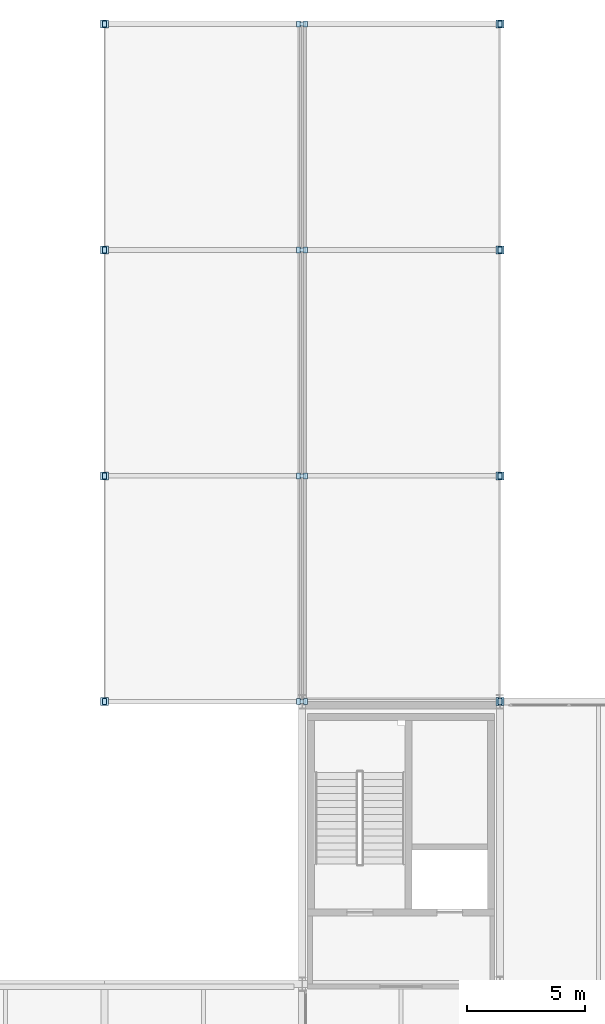
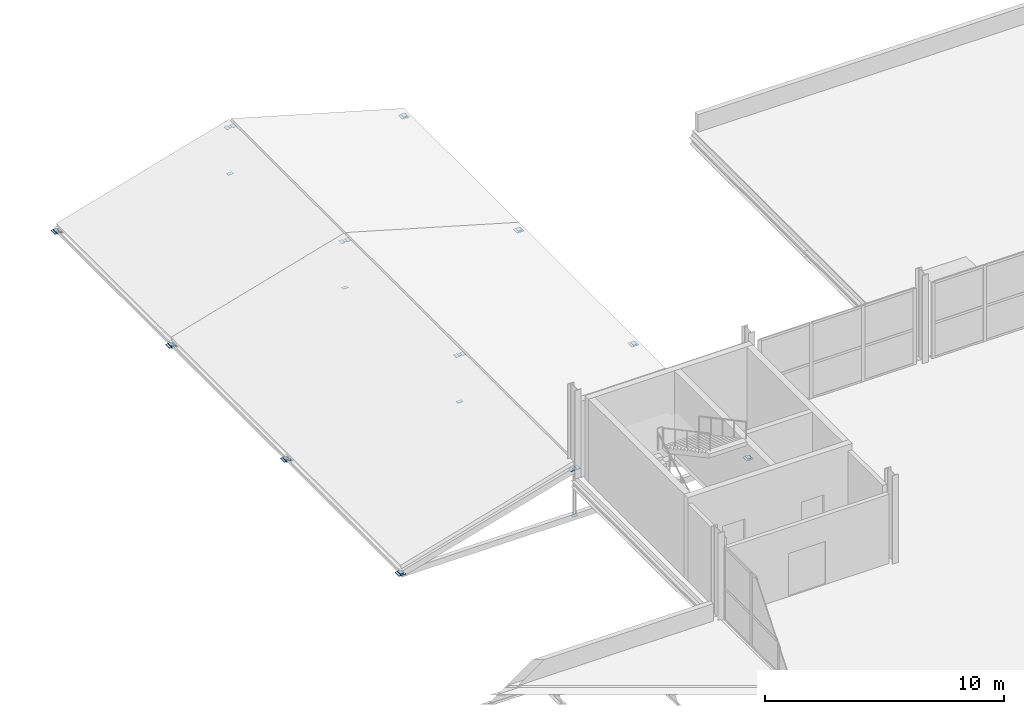
# One storey, part 116 of 130: 32 plates.
"""IFC4 building model written with IfcOpenShell, lengths in metres."""

from ifc_helpers import new_model, si_unit, direction, frame, origin, origin_2d, place, context, subcontext, project, spatial, rectangle, extrude, material, layer, layer_set, type_object, element, save


model = new_model("IFC4")

# Units and contexts
model_context = context("Model", 3, precision=1e-05, world=origin(), true_north=direction((0.0, 1.0)))
body_context = subcontext(model_context, "Body", "Model", "MODEL_VIEW")
ifc_project = project(units=[si_unit("LENGTHUNIT", "METRE"), si_unit("AREAUNIT", "SQUARE_METRE"), si_unit("VOLUMEUNIT", "CUBIC_METRE"), si_unit("PLANEANGLEUNIT", "RADIAN"), si_unit("MASSUNIT", "GRAM", prefix="KILO")], contexts=[model_context])

# Site, building, storey
site_placement = place(None, origin())
site = spatial("IfcSite", under=ifc_project, at=site_placement, CompositionType="ELEMENT")
building_placement = place(site_placement, origin())
building = spatial("IfcBuilding", under=site, at=building_placement, Name="Veltarok Museum of Natural Sciences", CompositionType="ELEMENT")
storey_placement = place(building_placement, frame((0.0, 0.0, 12.89990234375)))
storey = spatial("IfcBuildingStorey", under=building, at=storey_placement, Name="L02", CompositionType="ELEMENT", Elevation=12.89990234375)

# Plates
ifc_material = material(Name="Steel S355J2", Category="steel")
ifc_layer_1 = layer(ifc_material, 0.01611328125)
ifc_layer_set_1 = layer_set([ifc_layer_1], Name="Steel S355J2")
plate_type_1 = type_object("IfcPlateType", Name="Hollow End Closure Plate 260x170x16", PredefinedType="USERDEFINED", material=ifc_layer_set_1)
for number, where, z_axis, x_axis, name in (
    (1, (40.0, 72.0, -2.10400390625), (0.0, 0.0, 1.0), (1.0, 0.0, 0.0), "End Cap Plate CP-180 402"),
    (2, (40.0, 72.0, 0.2880859375), (0.0, 0.0, 1.0), (1.0, 0.0, 0.0), "End Cap Plate CP-180 403"),
    (3, (40.0, 81.60009765625, -2.10400390625), (0.0, 0.0, 1.0), (1.0, 0.0, 0.0), "End Cap Plate CP-180 406"),
    (4, (40.0, 81.60009765625, 0.2880859375), (0.0, 0.0, 1.0), (1.0, 0.0, 0.0), "End Cap Plate CP-180 407"),
    (5, (40.0, 91.199951171875, -2.10400390625), (0.0, 0.0, 1.0), (1.0, 0.0, 0.0), "End Cap Plate CP-180 410"),
    (6, (40.0, 91.199951171875, 0.2880859375), (0.0, 0.0, 1.0), (1.0, 0.0, 0.0), "End Cap Plate CP-180 411"),
    (7, (40.0, 100.800048828125, -2.10400390625), (0.0, 0.0, 1.0), (1.0, 0.0, 0.0), "End Cap Plate CP-180 414"),
    (8, (40.0, 100.800048828125, 0.2880859375), (0.0, 0.0, 1.0), (1.0, 0.0, 0.0), "End Cap Plate CP-180 415"),
    (9, (31.60009765625, 72.00390625, -2.057861328125), (0.0, 0.0, 1.0), (0.0, 1.0, 0.0), "End Cap Plate CP-180 416"),
    (10, (31.60009765625, 81.595947265625, -2.057861328125), (0.0, 0.0, 1.0), (0.0, 1.0, 0.0), "End Cap Plate CP-180 417"),
    (11, (31.60009765625, 91.196044921875, -2.057861328125), (0.0, 0.0, 1.0), (0.0, 1.0, 0.0), "End Cap Plate CP-180 418"),
    (12, (31.60009765625, 100.7958984375, -2.057861328125), (0.0, 0.0, 1.0), (0.0, 1.0, 0.0), "End Cap Plate CP-180 419"),
    (13, (39.85009765625, 72.00390625, 0.2919921875), (0.0, 0.0, 1.0), (0.0, 1.0, 0.0), "End Cap Plate CP-180 420"),
    (14, (39.85009765625, 81.595947265625, 0.2919921875), (0.0, 0.0, 1.0), (0.0, 1.0, 0.0), "End Cap Plate CP-180 421"),
    (15, (39.85009765625, 91.196044921875, 0.2919921875), (0.0, 0.0, 1.0), (0.0, 1.0, 0.0), "End Cap Plate CP-180 422"),
    (16, (39.85009765625, 100.7958984375, 0.2919921875), (0.0, 0.0, 1.0), (0.0, 1.0, 0.0), "End Cap Plate CP-180 423"),
    (17, (40.14990234375, 72.00390625, 0.2919921875), (0.0, 0.0, 1.0), (0.0, 1.0, 0.0), "End Cap Plate CP-180 424"),
    (18, (40.14990234375, 81.595947265625, 0.2919921875), (0.0, 0.0, 1.0), (0.0, 1.0, 0.0), "End Cap Plate CP-180 425"),
    (19, (40.14990234375, 91.196044921875, 0.2919921875), (0.0, 0.0, 1.0), (0.0, 1.0, 0.0), "End Cap Plate CP-180 426"),
    (20, (40.14990234375, 100.7958984375, 0.2919921875), (0.0, 0.0, 1.0), (0.0, 1.0, 0.0), "End Cap Plate CP-180 427"),
    (21, (48.39990234375, 72.00390625, -2.057861328125), (0.0, 0.0, 1.0), (0.0, 1.0, 0.0), "End Cap Plate CP-180 428"),
    (22, (48.39990234375, 81.595947265625, -2.057861328125), (0.0, 0.0, 1.0), (0.0, 1.0, 0.0), "End Cap Plate CP-180 429"),
    (23, (48.39990234375, 91.196044921875, -2.057861328125), (0.0, 0.0, 1.0), (0.0, 1.0, 0.0), "End Cap Plate CP-180 430"),
    (24, (48.39990234375, 100.7958984375, -2.057861328125), (0.0, 0.0, 1.0), (0.0, 1.0, 0.0), "End Cap Plate CP-180 431"),
):
    element("IfcPlate", number, at=place(storey_placement, frame(where, z_axis=z_axis, x_axis=x_axis)), inside=storey, type_object=plate_type_1, Name=name, ObjectType="END CAP PLATE", PredefinedType="USERDEFINED", context=body_context, shape_type="SweptSolid", body=[
        extrude(rectangle(XDim=0.260009765625, YDim=0.169921875, at=origin_2d()), origin(), (0.0, 0.0, 1.0), 0.01611328125),
    ])
ifc_layer_2 = layer(ifc_material, 0.02001953125)
ifc_layer_set_2 = layer_set([ifc_layer_2], Name="Steel S355J2")
plate_type_2 = type_object("IfcPlateType", Name="Hollow End Closure Plate D340x20", PredefinedType="USERDEFINED", material=ifc_layer_set_2)
for number, where, z_axis, x_axis, name in (
    (25, (31.60400390625, 72.0, -2.10986328125), (0.0, 0.0, 1.0), (1.0, 0.0, 0.0), "End Cap Plate CP-324 400"),
    (26, (48.39599609375, 72.0, -2.10986328125), (0.0, 0.0, 1.0), (1.0, 0.0, 0.0), "End Cap Plate CP-324 401"),
    (27, (31.60400390625, 81.60009765625, -2.10986328125), (0.0, 0.0, 1.0), (1.0, 0.0, 0.0), "End Cap Plate CP-324 404"),
    (28, (48.39599609375, 81.60009765625, -2.10986328125), (0.0, 0.0, 1.0), (1.0, 0.0, 0.0), "End Cap Plate CP-324 405"),
    (29, (31.60400390625, 91.199951171875, -2.10986328125), (0.0, 0.0, 1.0), (1.0, 0.0, 0.0), "End Cap Plate CP-324 408"),
    (30, (48.39599609375, 91.199951171875, -2.10986328125), (0.0, 0.0, 1.0), (1.0, 0.0, 0.0), "End Cap Plate CP-324 409"),
    (31, (31.60400390625, 100.800048828125, -2.10986328125), (0.0, 0.0, 1.0), (1.0, 0.0, 0.0), "End Cap Plate CP-324 412"),
    (32, (48.39599609375, 100.800048828125, -2.10986328125), (0.0, 0.0, 1.0), (1.0, 0.0, 0.0), "End Cap Plate CP-324 413"),
):
    element("IfcPlate", number, at=place(storey_placement, frame(where, z_axis=z_axis, x_axis=x_axis)), inside=storey, type_object=plate_type_2, Name=name, ObjectType="END CAP PLATE", PredefinedType="USERDEFINED", context=body_context, shape_type="SweptSolid", body=[
        extrude(rectangle(XDim=0.340087890625, YDim=0.340087890625, at=origin_2d()), origin(), (0.0, 0.0, 1.0), 0.02001953125),
    ])

save(model, "model.ifc")
